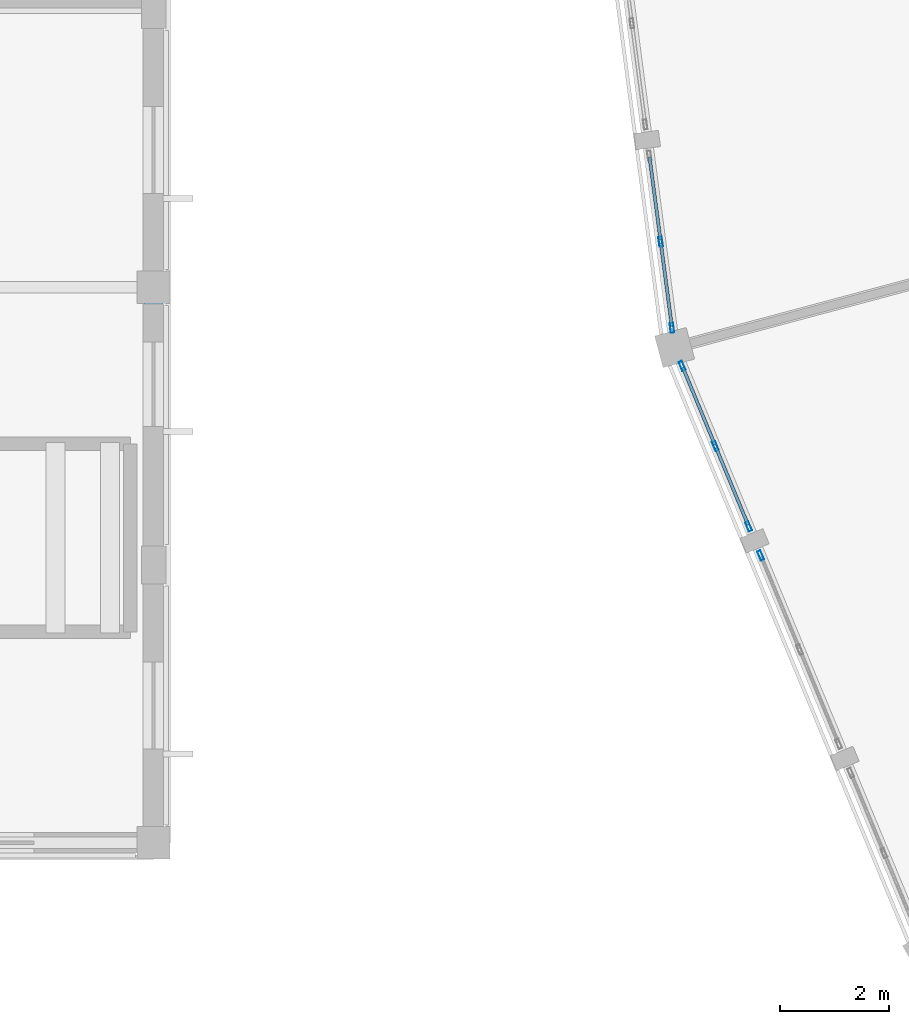
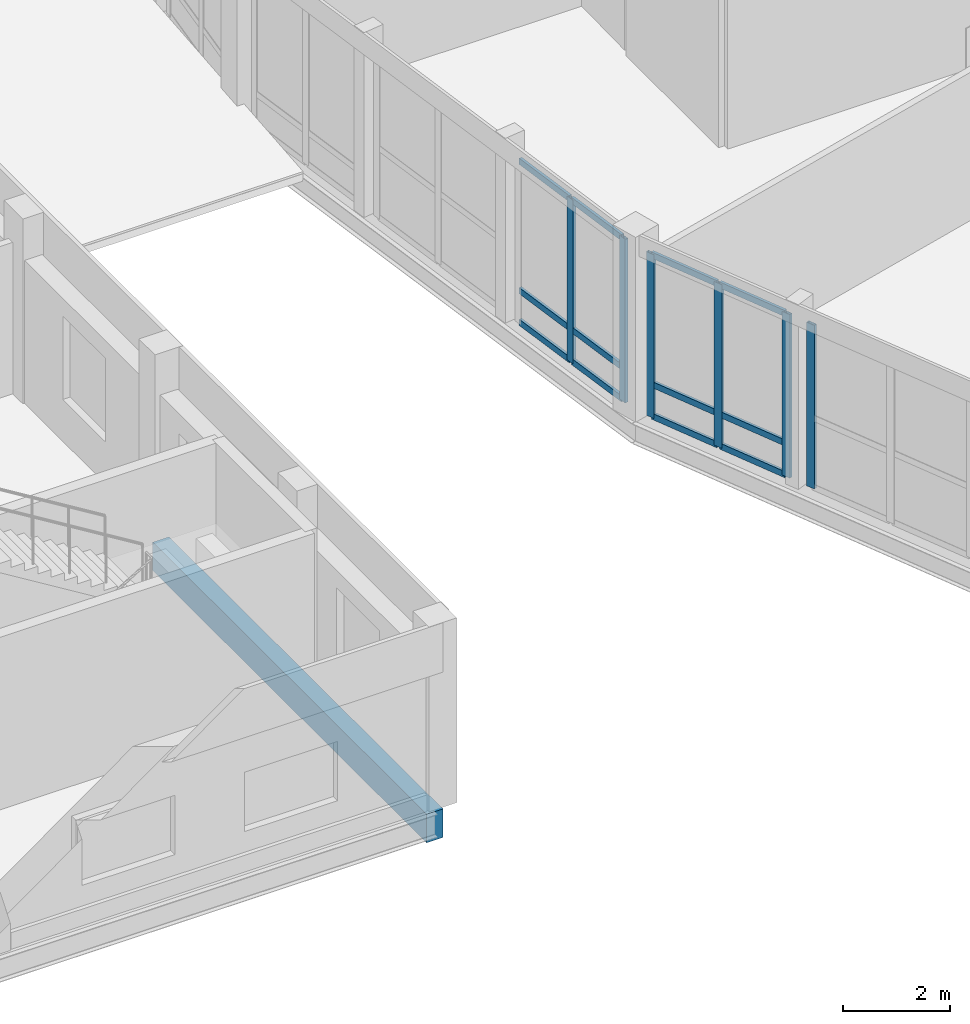
# One storey, part 30 of 170: 18 members, 1 beam, 3 elements without a shape of their own.
"""IFC4 building model written with IfcOpenShell, lengths in metres."""

import ifcopenshell
import ifcopenshell.guid

model = None  # the IFC model being written
_history = None  # IfcOwnerHistory: only IFC2X3 demands one
_inside = {}  # id of a spatial element -> (the spatial element, [elements in it])
_under = {}  # id of a project, library or spatial element -> (it, [spatial elements below it])
_declared = {}  # id of a project -> (the project, [libraries it declares])
_typed = {}  # id of a type object -> (the type object, [elements of that type])
_made_of = {}  # id of a material, layer set ... -> (it, [elements and type objects made of it])


def new_model(schema):
    """Start an empty IFC model of exactly this schema.

    Asked for "IFC4X3", IfcOpenShell would pick the latest addendum, in which some entities
    have other attributes; the version numbers below select the first issue.
    IFC2X3 requires an IfcOwnerHistory on every rooted entity: one is made here for all.
    """
    global model, _history
    if schema == "IFC4X3":
        model = ifcopenshell.file(schema_version=(4, 3, 0, 0))
    else:
        model = ifcopenshell.file(schema=schema)
    _inside.clear()
    _under.clear()
    _declared.clear()
    _typed.clear()
    _made_of.clear()
    _history = None
    if model.schema == "IFC2X3":
        org = make("IfcOrganization", Name="unknown")
        user = make(
            "IfcPersonAndOrganization",
            ThePerson=make("IfcPerson", FamilyName="unknown"),
            TheOrganization=org,
        )
        app = make(
            "IfcApplication",
            ApplicationDeveloper=org,
            Version="unknown",
            ApplicationFullName="unknown",
            ApplicationIdentifier="unknown",
        )
        _history = make(
            "IfcOwnerHistory",
            OwningUser=user,
            OwningApplication=app,
            ChangeAction="ADDED",
            CreationDate=0,
        )
    return model


def make(cls, **values):
    """One entity of the class cls with the attributes given. An attribute that is None is left unset."""
    return model.create_entity(
        cls, **{name: value for name, value in values.items() if value is not None}
    )


def rooted(cls, **values):
    """An entity with a GlobalId (a new one), such as an element, a storey or a relation."""
    return make(cls, GlobalId=ifcopenshell.guid.new(), OwnerHistory=_history, **values)


def si_unit(unit_type, name, prefix=None):
    """IfcSIUnit, for example si_unit("LENGTHUNIT", "METRE", prefix="MILLI")."""
    return make("IfcSIUnit", UnitType=unit_type, Prefix=prefix, Name=name)


def assignment(units):
    """IfcUnitAssignment: the units of a project."""
    return None if units is None else make("IfcUnitAssignment", Units=units)


def point(xyz):
    """IfcCartesianPoint."""
    return None if xyz is None else make("IfcCartesianPoint", Coordinates=xyz)


def direction(xyz):
    """IfcDirection."""
    return None if xyz is None else make("IfcDirection", DirectionRatios=xyz)


def frame(location, z_axis=None, x_axis=None):
    """IfcAxis2Placement3D, a coordinate frame: its origin and axes. An axis left out is left unset."""
    return make(
        "IfcAxis2Placement3D",
        Location=point(location),
        Axis=direction(z_axis),
        RefDirection=direction(x_axis),
    )


def frame_2d(location, x_axis=None):
    """IfcAxis2Placement2D, a coordinate frame in the plane: its origin and x axis."""
    return make(
        "IfcAxis2Placement2D", Location=point(location), RefDirection=direction(x_axis)
    )


def origin():
    """The frame at (0, 0, 0) with its axes left unset."""
    return frame((0.0, 0.0, 0.0))


def origin_2d():
    """The frame at (0, 0) in the plane with its x axis left unset."""
    return frame_2d((0.0, 0.0))


def place(relative_to, where):
    """IfcLocalPlacement: puts the frame where relative to a parent placement (None: the world)."""
    return make(
        "IfcLocalPlacement", PlacementRelTo=relative_to, RelativePlacement=where
    )


def context(
    kind, dimensions, precision=None, world=None, true_north=None, identifier=None
):
    """IfcGeometricRepresentationContext, for example the 3D "Model" context."""
    return make(
        "IfcGeometricRepresentationContext",
        ContextIdentifier=identifier,
        ContextType=kind,
        CoordinateSpaceDimension=dimensions,
        Precision=precision,
        WorldCoordinateSystem=world,
        TrueNorth=true_north,
    )


def subcontext(parent, identifier, kind, view, scale=None):
    """IfcGeometricRepresentationSubContext, for example "Body" below "Model"."""
    return make(
        "IfcGeometricRepresentationSubContext",
        ContextIdentifier=identifier,
        ContextType=kind,
        ParentContext=parent,
        TargetScale=scale,
        TargetView=view,
    )


def project(units=None, contexts=None):
    """IfcProject with its units and contexts."""
    return rooted(
        "IfcProject",
        Name="project",
        RepresentationContexts=contexts,
        UnitsInContext=assignment(units),
    )


def spatial(cls, under=None, at=None, **own):
    """A site, building, storey or space (cls), placed at a placement, below another one or the project."""
    s = rooted(cls, ObjectPlacement=at, **own)
    if under is not None:
        _under.setdefault(under.id(), (under, []))[1].append(s)
    return s


def profile(cls, at=None, kind="AREA", **sizes):
    """A parametric profile (cls). Its sizes go by their IFC names, for example OverallWidth=200.0."""
    return make(cls, ProfileType=kind, Position=at, **sizes)


def rectangle(**sizes):
    """IfcRectangleProfileDef."""
    return profile("IfcRectangleProfileDef", **sizes)


def hollow_rectangle(**sizes):
    """IfcRectangleHollowProfileDef."""
    return profile("IfcRectangleHollowProfileDef", **sizes)


def extrude(swept, where, along, depth):
    """IfcExtrudedAreaSolid: the profile swept, set in the frame where, extruded along a direction by depth."""
    return make(
        "IfcExtrudedAreaSolid",
        SweptArea=swept,
        Position=where,
        ExtrudedDirection=direction(along),
        Depth=depth,
    )


def shape(context_of_items, identifier, shape_type, items):
    """IfcShapeRepresentation: the items that make up one representation, for example the "Body"."""
    return make(
        "IfcShapeRepresentation",
        ContextOfItems=context_of_items,
        RepresentationIdentifier=identifier,
        RepresentationType=shape_type,
        Items=items,
    )


def material(Name=None, Category=None):
    """IfcMaterial."""
    return make("IfcMaterial", Name=Name, Category=Category)


def material_profile(
    of_material, cross_section, Name=None, Category=None, Priority=None
):
    """IfcMaterialProfile: a cross section and its material."""
    return make(
        "IfcMaterialProfile",
        Name=Name,
        Material=of_material,
        Profile=cross_section,
        Priority=Priority,
        Category=Category,
    )


def profile_set(profiles, Name=None, composite=None):
    """IfcMaterialProfileSet."""
    return make(
        "IfcMaterialProfileSet",
        Name=Name,
        MaterialProfiles=profiles,
        CompositeProfile=composite,
    )


def made_of(thing, what):
    """Note that an element or type object is made of a material, layer set ...; save() writes the relation."""
    if what is not None:
        _made_of.setdefault(what.id(), (what, []))[1].append(thing)
    return thing


def type_object(cls, material=None, **own):
    """A type object (cls), such as IfcWallType, which elements share."""
    return made_of(rooted(cls, **own), material)


def element(
    cls,
    number,
    at=None,
    inside=None,
    cuts=None,
    type_object=None,
    material=None,
    context=None,
    identifier="Body",
    shape_type=None,
    held_by="IfcProductDefinitionShape",
    body=None,
    shapes=None,
    **own,
):
    """One element of the class cls, such as IfcWall. Its Tag is "e" and its number.

    at: its placement. inside: the storey or other place that contains it. cuts: it is an
    opening in that element (IfcRelVoidsElement). A single representation is given by context,
    identifier, shape_type and body (its items); several are given by shapes. held_by: the class
    of the entity that holds the representations. save() writes the other relations.
    """
    e = rooted(cls, Tag="e%d" % number, ObjectPlacement=at, **own)
    if body is not None:
        shapes = [shape(context, identifier, shape_type, body)]
    if shapes is not None:
        e.Representation = make(held_by, Representations=shapes)
    if inside is not None:
        _inside.setdefault(inside.id(), (inside, []))[1].append(e)
    if cuts is not None:
        rooted(
            "IfcRelVoidsElement", RelatingBuildingElement=cuts, RelatedOpeningElement=e
        )
    if type_object is not None:
        _typed.setdefault(type_object.id(), (type_object, []))[1].append(e)
    return made_of(e, material)


def aggregate(whole, parts):
    """IfcRelAggregates: a whole, such as a stair, and the parts it consists of."""
    return rooted("IfcRelAggregates", RelatingObject=whole, RelatedObjects=parts)


def save(model, path):
    """Write the relations noted so far, then the file.

    IfcRelAggregates (storeys below a building ...), IfcRelContainedInSpatialStructure (elements
    in a storey), IfcRelDefinesByType, IfcRelAssociatesMaterial and IfcRelDeclares: one each for
    every whole, place, type object, material and project.
    """
    for whole, parts in _under.values():
        aggregate(whole, parts)
    for where, things in _inside.values():
        rooted(
            "IfcRelContainedInSpatialStructure",
            RelatedElements=things,
            RelatingStructure=where,
        )
    for kind, things in _typed.values():
        rooted("IfcRelDefinesByType", RelatedObjects=things, RelatingType=kind)
    for what, things in _made_of.values():
        rooted("IfcRelAssociatesMaterial", RelatedObjects=things, RelatingMaterial=what)
    for by, libraries in _declared.values():
        rooted("IfcRelDeclares", RelatingContext=by, RelatedDefinitions=libraries)
    model.write(path)


model = new_model("IFC4")

# Units and contexts
model_context = context("Model", 3, precision=1e-05, world=origin(), true_north=direction((0.0, 1.0)))
body_context = subcontext(model_context, "Body", "Model", "MODEL_VIEW")
ifc_project = project(units=[si_unit("LENGTHUNIT", "METRE"), si_unit("AREAUNIT", "SQUARE_METRE"), si_unit("VOLUMEUNIT", "CUBIC_METRE"), si_unit("PLANEANGLEUNIT", "RADIAN"), si_unit("MASSUNIT", "GRAM", prefix="KILO")], contexts=[model_context])

# Site, building, storey
site_placement = place(None, origin())
site = spatial("IfcSite", under=ifc_project, at=site_placement, CompositionType="ELEMENT")
building_placement = place(site_placement, origin())
building = spatial("IfcBuilding", under=site, at=building_placement, Name="Vondelvale Polytechnic", CompositionType="ELEMENT")
storey_placement = place(building_placement, frame((0.0, 0.0, 5.39990234375)))
storey = spatial("IfcBuildingStorey", under=building, at=storey_placement, Name="L01", CompositionType="ELEMENT", Elevation=5.39990234375)

# Curtain wall, members
ifc_material_1 = material(Name="Glulam GL18 structural Tasmanian oak (fb = 42 MPa)", Category="wood")
curtain_wall_type = type_object("IfcCurtainWallType", Name="CW-RING-OUTER", PredefinedType="NOTDEFINED", material=ifc_material_1)
curtain_wall_1_placement = place(storey_placement, origin())
curtain_wall_1 = element("IfcCurtainWall", 1, at=curtain_wall_1_placement, inside=storey, type_object=curtain_wall_type, Name="L01 architectural curtain wall CW-04-262", PredefinedType="NOTDEFINED")
ifc_material_2 = material(Name="Anodised extruded aluminium 6063-T6", Category="aluminium")
ifc_material_profile_1 = material_profile(ifc_material_2, hollow_rectangle(XDim=0.06494140625, YDim=0.179931640625, WallThickness=0.00390625, at=origin_2d()), Name="CW-MUL-180x65")
ifc_profile_set_1 = profile_set([ifc_material_profile_1], Name="Anodised extruded aluminium 6063-T6")
member_type_1 = type_object("IfcMemberType", Name="CW-MUL-65x180", PredefinedType="MULLION", material=ifc_profile_set_1)
member_1_placement = place(storey_placement, frame((57.3115234375, 62.037841796875, 0.0), z_axis=(0.0, 0.0, 1.0), x_axis=(0.991443102996, 0.130539547729, 0.0)))
member_1 = element("IfcMember", 2, at=member_1_placement, type_object=member_type_1, Name="CW-04-262 mullion 2", PredefinedType="MULLION", context=body_context, shape_type="SweptSolid", body=[
    extrude(hollow_rectangle(XDim=0.06494140625, YDim=0.179931640625, WallThickness=0.00390625, at=origin_2d()), origin(), (0.0, 0.0, 1.0), 3.72021484375),
])
member_2_placement = place(storey_placement, frame((57.519775390625, 60.45654296875, 0.0), z_axis=(0.0, 0.0, 1.0), x_axis=(0.991443102996, 0.130539547729, 0.0)))
member_2 = element("IfcMember", 3, at=member_2_placement, type_object=member_type_1, Name="CW-04-262 mullion 3", PredefinedType="MULLION", context=body_context, shape_type="SweptSolid", body=[
    extrude(hollow_rectangle(XDim=0.06494140625, YDim=0.179931640625, WallThickness=0.00390625, at=origin_2d()), origin(), (0.0, 0.0, 1.0), 3.72021484375),
])

curtain_wall_2_placement = place(storey_placement, origin())
curtain_wall_2 = element("IfcCurtainWall", 4, at=curtain_wall_2_placement, inside=storey, type_object=curtain_wall_type, Name="L01 architectural curtain wall CW-04-280", PredefinedType="NOTDEFINED")
member_3_placement = place(storey_placement, frame((57.70703125, 59.7568359375, 0.0), z_axis=(0.0, 0.0, 1.0), x_axis=(0.923882033442, 0.382677394529, 0.0)))
member_3 = element("IfcMember", 5, at=member_3_placement, type_object=member_type_1, Name="CW-04-280 mullion 1", PredefinedType="MULLION", context=body_context, shape_type="SweptSolid", body=[
    extrude(hollow_rectangle(XDim=0.06494140625, YDim=0.179931640625, WallThickness=0.00390625, at=origin_2d()), origin(), (0.0, 0.0, 1.0), 3.72021484375),
])
member_4_placement = place(storey_placement, frame((58.3173828125, 58.283203125, 0.0), z_axis=(0.0, 0.0, 1.0), x_axis=(0.923882033442, 0.382677394529, 0.0)))
member_4 = element("IfcMember", 6, at=member_4_placement, type_object=member_type_1, Name="CW-04-280 mullion 2", PredefinedType="MULLION", context=body_context, shape_type="SweptSolid", body=[
    extrude(hollow_rectangle(XDim=0.06494140625, YDim=0.179931640625, WallThickness=0.00390625, at=origin_2d()), origin(), (0.0, 0.0, 1.0), 3.72021484375),
])
member_5_placement = place(storey_placement, frame((58.927978515625, 56.809814453125, 0.0), z_axis=(0.0, 0.0, 1.0), x_axis=(0.923882033442, 0.382677394529, 0.0)))
member_5 = element("IfcMember", 7, at=member_5_placement, type_object=member_type_1, Name="CW-04-280 mullion 3", PredefinedType="MULLION", context=body_context, shape_type="SweptSolid", body=[
    extrude(hollow_rectangle(XDim=0.06494140625, YDim=0.179931640625, WallThickness=0.00390625, at=origin_2d()), origin(), (0.0, 0.0, 1.0), 3.72021484375),
])

# Curtain wall, member
curtain_wall_3_placement = place(storey_placement, origin())
curtain_wall_3 = element("IfcCurtainWall", 8, at=curtain_wall_3_placement, inside=storey, type_object=curtain_wall_type, Name="L01 architectural curtain wall CW-04-281", PredefinedType="NOTDEFINED")
member_6_placement = place(storey_placement, frame((59.14794921875, 56.278564453125, 0.0), z_axis=(0.0, 0.0, 1.0), x_axis=(0.92387490701, 0.382694599123, 0.0)))
member_6 = element("IfcMember", 9, at=member_6_placement, type_object=member_type_1, Name="CW-04-281 mullion 1", PredefinedType="MULLION", context=body_context, shape_type="SweptSolid", body=[
    extrude(hollow_rectangle(XDim=0.06494140625, YDim=0.179931640625, WallThickness=0.00390625, at=origin_2d()), origin(), (0.0, 0.0, 1.0), 3.72021484375),
])
aggregate(curtain_wall_3, [member_6])

# Member
ifc_material_profile_2 = material_profile(ifc_material_2, hollow_rectangle(XDim=0.06005859375, YDim=0.139892578125, WallThickness=0.00341796875, at=origin_2d()), Name="CW-TRN-140x60")
ifc_profile_set_2 = profile_set([ifc_material_profile_2], Name="Anodised extruded aluminium 6063-T6")
member_type_2 = type_object("IfcMemberType", Name="CW-TRN-60x140", PredefinedType="USERDEFINED", material=ifc_profile_set_2)
member_7_placement = place(storey_placement, frame((57.107666015625, 63.5869140625, 0.030029296875), z_axis=(0.130532942165, -0.991443972703, 0.0), x_axis=(0.991443972703, 0.130532942165, 0.0)))
member_7 = element("IfcMember", 10, at=member_7_placement, type_object=member_type_2, Name="CW-04-262 transom 1.1", ObjectType="TRANSOM", PredefinedType="USERDEFINED", context=body_context, shape_type="SweptSolid", body=[
    extrude(hollow_rectangle(XDim=0.06005859375, YDim=0.139892578125, WallThickness=0.00341796875, at=origin_2d()), origin(), (0.0, 0.0, 1.0), 1.530029296875),
])

member_8_placement = place(storey_placement, frame((57.107666015625, 63.5869140625, 0.75), z_axis=(0.130532942165, -0.991443972703, 0.0), x_axis=(0.991443972703, 0.130532942165, 0.0)))
member_8 = element("IfcMember", 11, at=member_8_placement, type_object=member_type_2, Name="CW-04-262 transom 1.2", ObjectType="TRANSOM", PredefinedType="USERDEFINED", context=body_context, shape_type="SweptSolid", body=[
    extrude(hollow_rectangle(XDim=0.06005859375, YDim=0.139892578125, WallThickness=0.00341796875, at=origin_2d()), origin(), (0.0, 0.0, 1.0), 1.530029296875),
])

member_9_placement = place(storey_placement, frame((57.107666015625, 63.5869140625, 3.690185546875), z_axis=(0.130532942165, -0.991443972703, 0.0), x_axis=(0.991443972703, 0.130532942165, 0.0)))
member_9 = element("IfcMember", 12, at=member_9_placement, type_object=member_type_2, Name="CW-04-262 transom 1.3", ObjectType="TRANSOM", PredefinedType="USERDEFINED", context=body_context, shape_type="SweptSolid", body=[
    extrude(hollow_rectangle(XDim=0.06005859375, YDim=0.139892578125, WallThickness=0.00341796875, at=origin_2d()), origin(), (0.0, 0.0, 1.0), 1.530029296875),
])

member_10_placement = place(storey_placement, frame((57.315673828125, 62.005615234375, 0.030029296875), z_axis=(0.13066912162, -0.99142603388, 0.0), x_axis=(0.99142603388, 0.13066912162, 0.0)))
member_10 = element("IfcMember", 13, at=member_10_placement, type_object=member_type_2, Name="CW-04-262 transom 2.1", ObjectType="TRANSOM", PredefinedType="USERDEFINED", context=body_context, shape_type="SweptSolid", body=[
    extrude(hollow_rectangle(XDim=0.06005859375, YDim=0.139892578125, WallThickness=0.00341796875, at=origin_2d()), origin(), (0.0, 0.0, 1.0), 1.5302734375),
])

member_11_placement = place(storey_placement, frame((57.315673828125, 62.005615234375, 0.75), z_axis=(0.13066912162, -0.99142603388, 0.0), x_axis=(0.99142603388, 0.13066912162, 0.0)))
member_11 = element("IfcMember", 14, at=member_11_placement, type_object=member_type_2, Name="CW-04-262 transom 2.2", ObjectType="TRANSOM", PredefinedType="USERDEFINED", context=body_context, shape_type="SweptSolid", body=[
    extrude(hollow_rectangle(XDim=0.06005859375, YDim=0.139892578125, WallThickness=0.00341796875, at=origin_2d()), origin(), (0.0, 0.0, 1.0), 1.5302734375),
])

member_12_placement = place(storey_placement, frame((57.315673828125, 62.005615234375, 3.690185546875), z_axis=(0.13066912162, -0.99142603388, 0.0), x_axis=(0.99142603388, 0.13066912162, 0.0)))
member_12 = element("IfcMember", 15, at=member_12_placement, type_object=member_type_2, Name="CW-04-262 transom 2.3", ObjectType="TRANSOM", PredefinedType="USERDEFINED", context=body_context, shape_type="SweptSolid", body=[
    extrude(hollow_rectangle(XDim=0.06005859375, YDim=0.139892578125, WallThickness=0.00341796875, at=origin_2d()), origin(), (0.0, 0.0, 1.0), 1.5302734375),
])

aggregate(curtain_wall_1, [member_1, member_2, member_7, member_8, member_9, member_10, member_11, member_12])

member_13_placement = place(storey_placement, frame((57.719482421875, 59.726806640625, 0.030029296875), z_axis=(0.382779237206, -0.923839843027, 0.0), x_axis=(0.923839843027, 0.382779237206, 0.0)))
member_13 = element("IfcMember", 16, at=member_13_placement, type_object=member_type_2, Name="CW-04-280 transom 1.1", ObjectType="TRANSOM", PredefinedType="USERDEFINED", context=body_context, shape_type="SweptSolid", body=[
    extrude(hollow_rectangle(XDim=0.06005859375, YDim=0.139892578125, WallThickness=0.00341796875, at=origin_2d()), origin(), (0.0, 0.0, 1.0), 1.530029296875),
])

member_14_placement = place(storey_placement, frame((57.719482421875, 59.726806640625, 0.75), z_axis=(0.382779237206, -0.923839843027, 0.0), x_axis=(0.923839843027, 0.382779237206, 0.0)))
member_14 = element("IfcMember", 17, at=member_14_placement, type_object=member_type_2, Name="CW-04-280 transom 1.2", ObjectType="TRANSOM", PredefinedType="USERDEFINED", context=body_context, shape_type="SweptSolid", body=[
    extrude(hollow_rectangle(XDim=0.06005859375, YDim=0.139892578125, WallThickness=0.00341796875, at=origin_2d()), origin(), (0.0, 0.0, 1.0), 1.530029296875),
])

member_15_placement = place(storey_placement, frame((57.719482421875, 59.726806640625, 3.690185546875), z_axis=(0.382779237206, -0.923839843027, 0.0), x_axis=(0.923839843027, 0.382779237206, 0.0)))
member_15 = element("IfcMember", 18, at=member_15_placement, type_object=member_type_2, Name="CW-04-280 transom 1.3", ObjectType="TRANSOM", PredefinedType="USERDEFINED", context=body_context, shape_type="SweptSolid", body=[
    extrude(hollow_rectangle(XDim=0.06005859375, YDim=0.139892578125, WallThickness=0.00341796875, at=origin_2d()), origin(), (0.0, 0.0, 1.0), 1.530029296875),
])

member_16_placement = place(storey_placement, frame((58.329833984375, 58.253173828125, 0.030029296875), z_axis=(0.382835668721, -0.923816459452, 0.0), x_axis=(0.923816459452, 0.382835668721, 0.0)))
member_16 = element("IfcMember", 19, at=member_16_placement, type_object=member_type_2, Name="CW-04-280 transom 2.1", ObjectType="TRANSOM", PredefinedType="USERDEFINED", context=body_context, shape_type="SweptSolid", body=[
    extrude(hollow_rectangle(XDim=0.06005859375, YDim=0.139892578125, WallThickness=0.00341796875, at=origin_2d()), origin(), (0.0, 0.0, 1.0), 1.52978515625),
])

member_17_placement = place(storey_placement, frame((58.329833984375, 58.253173828125, 0.75), z_axis=(0.382835668721, -0.923816459452, 0.0), x_axis=(0.923816459452, 0.382835668721, 0.0)))
member_17 = element("IfcMember", 20, at=member_17_placement, type_object=member_type_2, Name="CW-04-280 transom 2.2", ObjectType="TRANSOM", PredefinedType="USERDEFINED", context=body_context, shape_type="SweptSolid", body=[
    extrude(hollow_rectangle(XDim=0.06005859375, YDim=0.139892578125, WallThickness=0.00341796875, at=origin_2d()), origin(), (0.0, 0.0, 1.0), 1.52978515625),
])

member_18_placement = place(storey_placement, frame((58.329833984375, 58.253173828125, 3.690185546875), z_axis=(0.382835668721, -0.923816459452, 0.0), x_axis=(0.923816459452, 0.382835668721, 0.0)))
member_18 = element("IfcMember", 21, at=member_18_placement, type_object=member_type_2, Name="CW-04-280 transom 2.3", ObjectType="TRANSOM", PredefinedType="USERDEFINED", context=body_context, shape_type="SweptSolid", body=[
    extrude(hollow_rectangle(XDim=0.06005859375, YDim=0.139892578125, WallThickness=0.00341796875, at=origin_2d()), origin(), (0.0, 0.0, 1.0), 1.52978515625),
])

aggregate(curtain_wall_2, [member_3, member_4, member_5, member_13, member_14, member_15, member_16, member_17, member_18])

# Beam
ifc_material_3 = material(Name="Precast concrete N40 (f'c = 40 MPa)", Category="concrete")
ifc_material_profile_3 = material_profile(ifc_material_3, rectangle(XDim=0.35009765625, YDim=0.64990234375, at=origin_2d()), Name="RC-SPN-350x650")
ifc_profile_set_3 = profile_set([ifc_material_profile_3], Name="Precast concrete N40 (f'c = 40 MPa)")
beam_type = type_object("IfcBeamType", Name="SPN-PRE350x650", PredefinedType="SPANDREL", material=ifc_profile_set_3)
beam_placement = place(storey_placement, frame((48.0, 51.0, -0.60498046875), z_axis=(0.0, 1.0, 0.0), x_axis=(-1.0, 0.0, 0.0)))
element("IfcBeam", 22, at=beam_placement, inside=storey, type_object=beam_type, Name="L01 B SP-02", PredefinedType="SPANDREL", context=body_context, shape_type="SweptSolid", body=[
    extrude(rectangle(XDim=0.35009765625, YDim=0.64990234375, at=origin_2d()), origin(), (0.0, 0.0, 1.0), 10.199951171875),
])

save(model, "model.ifc")
